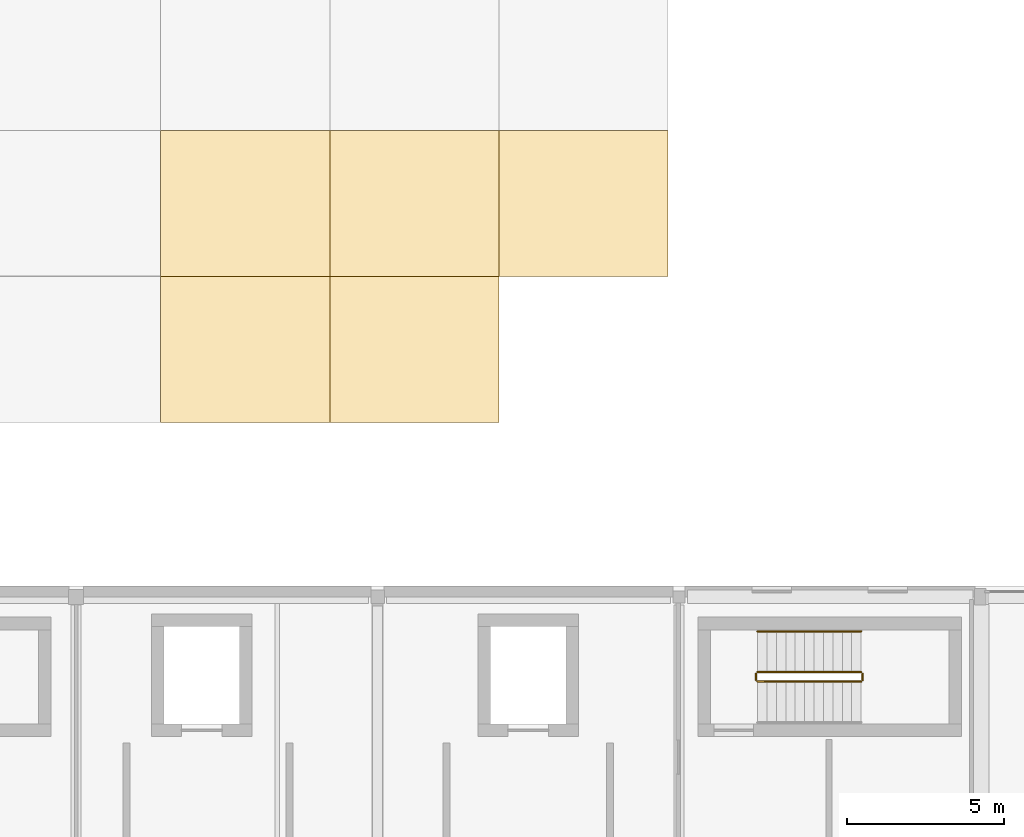
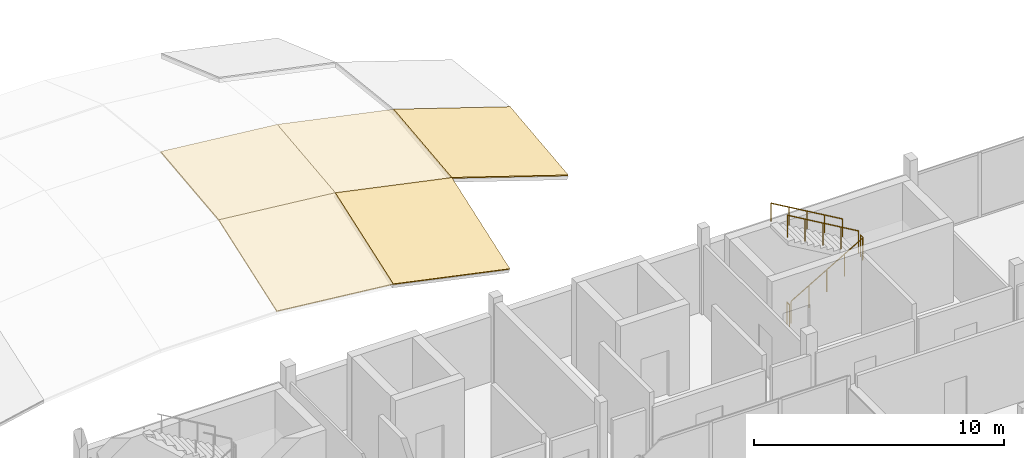
# One storey, part 30 of 35: 5 coverings, 5 railings.
"""IFC4 building model written with IfcOpenShell, lengths in metres."""

from ifc_helpers import new_model, si_unit, direction, frame, origin, origin_2d, place, context, subcontext, project, spatial, polyline, circle, outline, extrude, material, layer, layer_set, type_object, element, save


model = new_model("IFC4")

# Units and contexts
model_context = context("Model", 3, precision=1e-05, world=origin(), true_north=direction((0.0, 1.0)))
body_context = subcontext(model_context, "Body", "Model", "MODEL_VIEW")
ifc_project = project(units=[si_unit("LENGTHUNIT", "METRE"), si_unit("AREAUNIT", "SQUARE_METRE"), si_unit("VOLUMEUNIT", "CUBIC_METRE"), si_unit("PLANEANGLEUNIT", "RADIAN"), si_unit("MASSUNIT", "GRAM", prefix="KILO")], contexts=[model_context])

# Site, building, storey
site_placement = place(None, origin())
site = spatial("IfcSite", under=ifc_project, at=site_placement, CompositionType="ELEMENT")
building_placement = place(site_placement, origin())
building = spatial("IfcBuilding", under=site, at=building_placement, Name="Birchvale Park Specialist Clinic", CompositionType="ELEMENT")
storey_placement = place(building_placement, frame((0.0, 0.0, 13.800048828125)))
storey = spatial("IfcBuildingStorey", under=building, at=storey_placement, Name="L03", CompositionType="ELEMENT", Elevation=13.800048828125)

# Coverings
ifc_material_1 = material(Name="Standing-seam titanium-zinc roofing")
ifc_layer = layer(ifc_material_1, 0.054931640625)
ifc_layer_set = layer_set([ifc_layer], Name="Standing-seam titanium-zinc roofing")
covering_type = type_object("IfcCoveringType", Name="COV-RF2", PredefinedType="ROOFING", material=ifc_layer_set)
covering_1_placement = place(storey_placement, frame((73.69287109375, 39.800048828125, 2.42724609375), z_axis=(0.097855218234, -0.330954712464, 0.938559180106), x_axis=(0.994608725176, 0.0, -0.103699005798)))
element("IfcCovering", 1, at=covering_1_placement, inside=storey, type_object=covering_type, Name="V1 gridshell standing-seam covering 26", PredefinedType="ROOFING", context=body_context, shape_type="SweptSolid", body=[
    extrude(outline(polyline([(0.0, 0.0), (5.4149355934377565, 0.0), (5.244905680610671, 4.9275885211482455), (-0.17002991282708546, 4.927588521148245), (0.0, 0.0)])), origin(), (0.0, 0.0, -1.0), 0.054931640625),
])
covering_2_placement = place(storey_placement, frame((73.69287109375, 44.449951171875, 4.06689453125), z_axis=(0.103090052962, -0.110159295638, 0.988553170328), x_axis=(0.994606428039, 2.454923e-06, -0.103721035942)))
element("IfcCovering", 2, at=covering_2_placement, inside=storey, type_object=covering_type, Name="V1 gridshell standing-seam covering 27", PredefinedType="ROOFING", context=body_context, shape_type="SweptSolid", body=[
    extrude(outline(polyline([(0.0, 0.0), (5.414935592093145, -6.938893903907228e-18), (5.361212623503532, 4.678607587254344), (-0.05374829110815399, 4.678634336618755), (0.0, 0.0)])), origin(), (0.0, 0.0, -1.0), 0.054931640625),
])
covering_3_placement = place(storey_placement, frame((79.07861328125, 39.800048828125, 1.86572265625), z_axis=(0.196105592745, -0.326093526643, 0.924773274038), x_axis=(0.978246670793, 0.0, -0.207445055574)))
element("IfcCovering", 3, at=covering_3_placement, inside=storey, type_object=covering_type, Name="V1 gridshell standing-seam covering 32", PredefinedType="ROOFING", context=body_context, shape_type="SweptSolid", body=[
    extrude(outline(polyline([(0.0, 0.0), (5.5055052557793625, 5.551115123125783e-17), (5.165368294539786, 4.918774812146482), (-0.340136961239576, 4.918774812146482), (0.0, 0.0)])), origin(), (0.0, 0.0, -1.0), 0.054931640625),
])
covering_4_placement = place(storey_placement, frame((79.07861328125, 44.449951171875, 3.50537109375), z_axis=(0.206202257249, -0.108369294024, 0.9724899615), x_axis=(0.978251117245, -2.336707e-06, -0.207424086361)))
element("IfcCovering", 4, at=covering_4_placement, inside=storey, type_object=covering_type, Name="V1 gridshell standing-seam covering 33", PredefinedType="ROOFING", context=body_context, shape_type="SweptSolid", body=[
    extrude(outline(polyline([(0.0, 0.0), (5.505505254499501, 0.0), (5.397984296832976, 4.677707491786649), (-0.10747031702044045, 4.677681609974852), (0.0, 0.0)])), origin(), (0.0, 0.0, -1.0), 0.054931640625),
])
covering_5_placement = place(storey_placement, frame((84.46435546875, 44.449951171875, 2.36328125), z_axis=(0.309438736667, -0.105338222316, 0.945066943221), x_axis=(0.950354284012, 0.0, -0.311169945304)))
element("IfcCovering", 5, at=covering_5_placement, inside=storey, type_object=covering_type, Name="V1 gridshell standing-seam covering 39", PredefinedType="ROOFING", context=body_context, shape_type="SweptSolid", body=[
    extrude(outline(polyline([(0.0, 0.0), (5.66708887212652, 2.7755575615628914e-17), (5.505806207604713, 4.67616253473634), (-0.16128266452180726, 4.676162534736339), (0.0, 0.0)])), origin(), (0.0, 0.0, -1.0), 0.054931640625),
])

# Railings
ifc_material_2 = material(Name="Brushed stainless steel guard railing", Category="steel")
railing_type_1 = type_object("IfcRailingType", Name="RL-GRD1", PredefinedType="GUARDRAIL", material=ifc_material_2)
railing_1_placement = place(storey_placement, frame((92.699951171875, 31.550048828125, 0.175048828125)))
element("IfcRailing", 6, at=railing_1_placement, inside=storey, type_object=railing_type_1, Name="L03 ST5 stair guard 1", PredefinedType="GUARDRAIL", context=body_context, shape_type="SweptSolid", body=[
    extrude(circle(Radius=0.02392578125, at=origin_2d()), frame((0.0, 0.0, 1.076171875), z_axis=(0.863804395585, 0.0, 0.503827317807), x_axis=(0.0, 1.0, 0.0)), (0.0, 0.0, 1.0), 3.8203125),
    extrude(circle(Radius=0.02099609375, at=origin_2d()), origin(), (0.0, 0.0, 1.0), 1.052001953125),
    extrude(circle(Radius=0.02099609375, at=origin_2d()), frame((0.824951171875, 0.0, 0.481201171875)), (0.0, 0.0, 1.0), 1.052001953125),
    extrude(circle(Radius=0.02099609375, at=origin_2d()), frame((1.64990234375, 0.0, 0.96240234375)), (0.0, 0.0, 1.0), 1.052001953125),
    extrude(circle(Radius=0.02099609375, at=origin_2d()), frame((2.47509765625, 0.0, 1.443603515625)), (0.0, 0.0, 1.0), 1.052001953125),
    extrude(circle(Radius=0.02099609375, at=origin_2d()), frame((3.300048828125, 0.0, 1.9248046875)), (0.0, 0.0, 1.0), 1.052001953125),
])
railing_2_placement = place(storey_placement, frame((96.050048828125, 31.60009765625, 2.099853515625)))
element("IfcRailing", 7, at=railing_2_placement, inside=storey, type_object=railing_type_1, Name="L03 ST5 stair guard 2", PredefinedType="GUARDRAIL", context=body_context, shape_type="SweptSolid", body=[
    extrude(circle(Radius=0.02392578125, at=origin_2d()), frame((0.0, 0.0, 1.076171875), z_axis=(0.0, 1.0, 0.0), x_axis=(-1.0, 0.0, 0.0)), (0.0, 0.0, 1.0), 0.199951171875),
    extrude(circle(Radius=0.02099609375, at=origin_2d()), origin(), (0.0, 0.0, 1.0), 1.052001953125),
    extrude(circle(Radius=0.02099609375, at=origin_2d()), frame((0.0, 0.199951171875, 0.0)), (0.0, 0.0, 1.0), 1.052001953125),
])
railing_3_placement = place(storey_placement, frame((96.0, 31.85009765625, 2.27490234375)))
element("IfcRailing", 8, at=railing_3_placement, inside=storey, type_object=railing_type_1, Name="L03 ST5 stair guard 3", PredefinedType="GUARDRAIL", context=body_context, shape_type="SweptSolid", body=[
    extrude(circle(Radius=0.02392578125, at=origin_2d()), frame((0.0, 0.0, 1.076171875), z_axis=(-0.863776583165, 0.0, 0.503874998761), x_axis=(0.0, -1.0, 0.0)), (0.0, 0.0, 1.0), 3.820556640625),
    extrude(circle(Radius=0.02099609375, at=origin_2d()), origin(), (0.0, 0.0, 1.0), 1.052001953125),
    extrude(circle(Radius=0.02099609375, at=origin_2d()), frame((-0.824951171875, 0.0, 0.481201171875)), (0.0, 0.0, 1.0), 1.052001953125),
    extrude(circle(Radius=0.02099609375, at=origin_2d()), frame((-1.64990234375, 0.0, 0.96240234375)), (0.0, 0.0, 1.0), 1.052001953125),
    extrude(circle(Radius=0.02099609375, at=origin_2d()), frame((-2.47509765625, 0.0, 1.44384765625)), (0.0, 0.0, 1.0), 1.052001953125),
    extrude(circle(Radius=0.02099609375, at=origin_2d()), frame((-3.300048828125, 0.0, 1.925048828125)), (0.0, 0.0, 1.0), 1.052001953125),
])
railing_4_placement = place(storey_placement, frame((92.64990234375, 31.60009765625, 0.0)))
element("IfcRailing", 9, at=railing_4_placement, inside=storey, type_object=railing_type_1, Name="L03 ST5 stair guard 4", PredefinedType="GUARDRAIL", context=body_context, shape_type="SweptSolid", body=[
    extrude(circle(Radius=0.02392578125, at=origin_2d()), frame((0.0, 0.0, 1.076171875), z_axis=(0.0, 1.0, 0.0), x_axis=(-1.0, 0.0, 0.0)), (0.0, 0.0, 1.0), 0.199951171875),
    extrude(circle(Radius=0.02099609375, at=origin_2d()), origin(), (0.0, 0.0, 1.0), 1.052001953125),
    extrude(circle(Radius=0.02099609375, at=origin_2d()), frame((0.0, 0.199951171875, 0.0)), (0.0, 0.0, 1.0), 1.052001953125),
])
ifc_material_3 = material(Name="Anodised aluminium handrail", Category="aluminium")
railing_type_2 = type_object("IfcRailingType", Name="RL-HND1", PredefinedType="HANDRAIL", material=ifc_material_3)
railing_5_placement = place(storey_placement, frame((96.0, 33.14990234375, 2.27490234375)))
element("IfcRailing", 10, at=railing_5_placement, inside=storey, type_object=railing_type_2, Name="L03 ST5 stair handrail 2", PredefinedType="HANDRAIL", context=body_context, shape_type="SweptSolid", body=[
    extrude(circle(Radius=0.02392578125, at=origin_2d()), frame((0.0, 0.0, 0.8759765625), z_axis=(-0.863776583165, 0.0, 0.503874998761), x_axis=(0.0, -1.0, 0.0)), (0.0, 0.0, 1.0), 3.820556640625),
    extrude(circle(Radius=0.02099609375, at=origin_2d()), origin(), (0.0, 0.0, 1.0), 0.851806640625),
    extrude(circle(Radius=0.02099609375, at=origin_2d()), frame((-0.824951171875, 0.0, 0.481201171875)), (0.0, 0.0, 1.0), 0.851806640625),
    extrude(circle(Radius=0.02099609375, at=origin_2d()), frame((-1.64990234375, 0.0, 0.96240234375)), (0.0, 0.0, 1.0), 0.851806640625),
    extrude(circle(Radius=0.02099609375, at=origin_2d()), frame((-2.47509765625, 0.0, 1.44384765625)), (0.0, 0.0, 1.0), 0.851806640625),
    extrude(circle(Radius=0.02099609375, at=origin_2d()), frame((-3.300048828125, 0.0, 1.925048828125)), (0.0, 0.0, 1.0), 0.851806640625),
])

save(model, "model.ifc")
